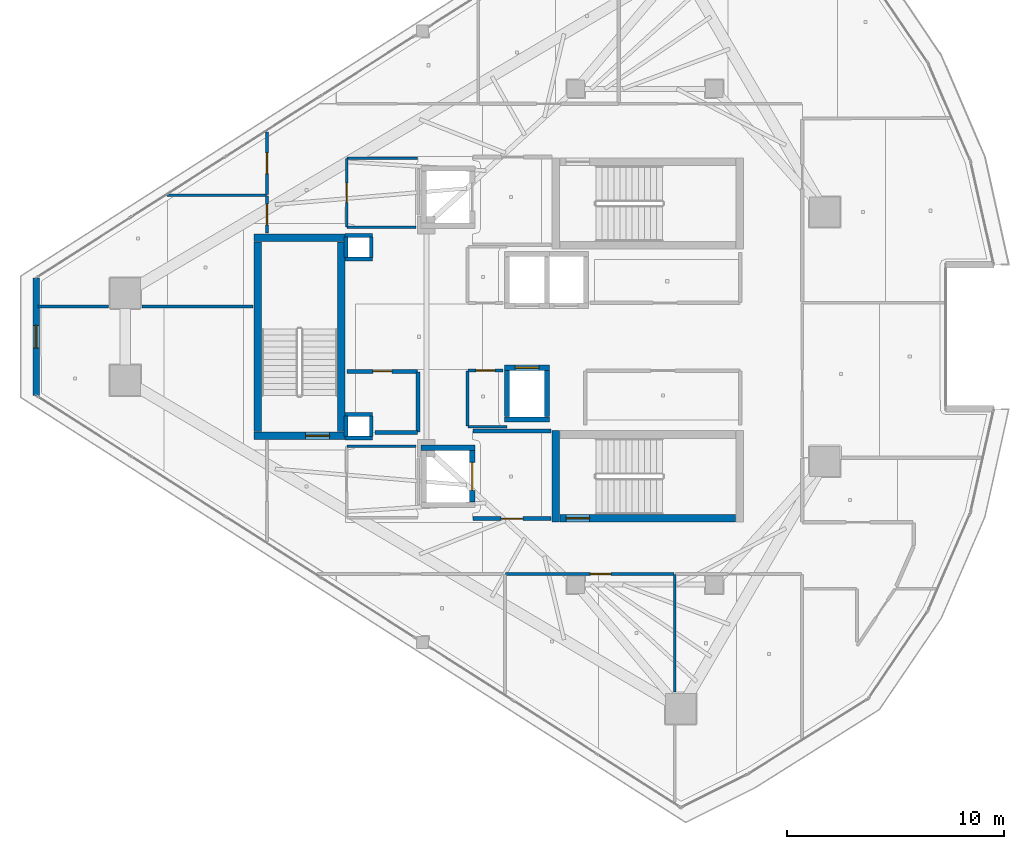
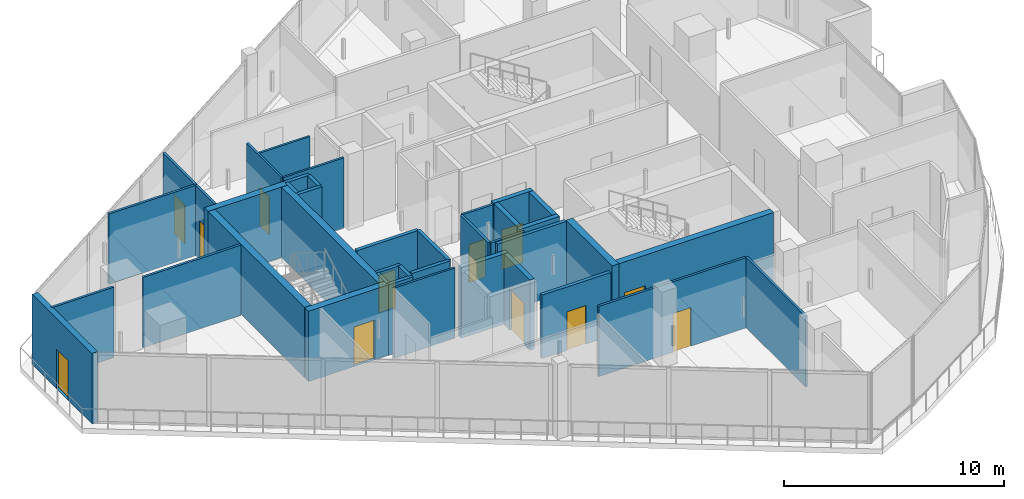
# One storey, part 15 of 23: 40 walls, 12 doors, 12 openings.
"""IFC4 building model written with IfcOpenShell, lengths in metres."""

import ifcopenshell
import ifcopenshell.guid

model = None  # the IFC model being written
_history = None  # IfcOwnerHistory: only IFC2X3 demands one
_inside = {}  # id of a spatial element -> (the spatial element, [elements in it])
_under = {}  # id of a project, library or spatial element -> (it, [spatial elements below it])
_declared = {}  # id of a project -> (the project, [libraries it declares])
_typed = {}  # id of a type object -> (the type object, [elements of that type])
_made_of = {}  # id of a material, layer set ... -> (it, [elements and type objects made of it])


def new_model(schema):
    """Start an empty IFC model of exactly this schema.

    Asked for "IFC4X3", IfcOpenShell would pick the latest addendum, in which some entities
    have other attributes; the version numbers below select the first issue.
    IFC2X3 requires an IfcOwnerHistory on every rooted entity: one is made here for all.
    """
    global model, _history
    if schema == "IFC4X3":
        model = ifcopenshell.file(schema_version=(4, 3, 0, 0))
    else:
        model = ifcopenshell.file(schema=schema)
    _inside.clear()
    _under.clear()
    _declared.clear()
    _typed.clear()
    _made_of.clear()
    _history = None
    if model.schema == "IFC2X3":
        org = make("IfcOrganization", Name="unknown")
        user = make(
            "IfcPersonAndOrganization",
            ThePerson=make("IfcPerson", FamilyName="unknown"),
            TheOrganization=org,
        )
        app = make(
            "IfcApplication",
            ApplicationDeveloper=org,
            Version="unknown",
            ApplicationFullName="unknown",
            ApplicationIdentifier="unknown",
        )
        _history = make(
            "IfcOwnerHistory",
            OwningUser=user,
            OwningApplication=app,
            ChangeAction="ADDED",
            CreationDate=0,
        )
    return model


def make(cls, **values):
    """One entity of the class cls with the attributes given. An attribute that is None is left unset."""
    return model.create_entity(
        cls, **{name: value for name, value in values.items() if value is not None}
    )


def rooted(cls, **values):
    """An entity with a GlobalId (a new one), such as an element, a storey or a relation."""
    return make(cls, GlobalId=ifcopenshell.guid.new(), OwnerHistory=_history, **values)


def si_unit(unit_type, name, prefix=None):
    """IfcSIUnit, for example si_unit("LENGTHUNIT", "METRE", prefix="MILLI")."""
    return make("IfcSIUnit", UnitType=unit_type, Prefix=prefix, Name=name)


def assignment(units):
    """IfcUnitAssignment: the units of a project."""
    return None if units is None else make("IfcUnitAssignment", Units=units)


def point(xyz):
    """IfcCartesianPoint."""
    return None if xyz is None else make("IfcCartesianPoint", Coordinates=xyz)


def direction(xyz):
    """IfcDirection."""
    return None if xyz is None else make("IfcDirection", DirectionRatios=xyz)


def frame(location, z_axis=None, x_axis=None):
    """IfcAxis2Placement3D, a coordinate frame: its origin and axes. An axis left out is left unset."""
    return make(
        "IfcAxis2Placement3D",
        Location=point(location),
        Axis=direction(z_axis),
        RefDirection=direction(x_axis),
    )


def frame_2d(location, x_axis=None):
    """IfcAxis2Placement2D, a coordinate frame in the plane: its origin and x axis."""
    return make(
        "IfcAxis2Placement2D", Location=point(location), RefDirection=direction(x_axis)
    )


def origin():
    """The frame at (0, 0, 0) with its axes left unset."""
    return frame((0.0, 0.0, 0.0))


def place(relative_to, where):
    """IfcLocalPlacement: puts the frame where relative to a parent placement (None: the world)."""
    return make(
        "IfcLocalPlacement", PlacementRelTo=relative_to, RelativePlacement=where
    )


def context(
    kind, dimensions, precision=None, world=None, true_north=None, identifier=None
):
    """IfcGeometricRepresentationContext, for example the 3D "Model" context."""
    return make(
        "IfcGeometricRepresentationContext",
        ContextIdentifier=identifier,
        ContextType=kind,
        CoordinateSpaceDimension=dimensions,
        Precision=precision,
        WorldCoordinateSystem=world,
        TrueNorth=true_north,
    )


def subcontext(parent, identifier, kind, view, scale=None):
    """IfcGeometricRepresentationSubContext, for example "Body" below "Model"."""
    return make(
        "IfcGeometricRepresentationSubContext",
        ContextIdentifier=identifier,
        ContextType=kind,
        ParentContext=parent,
        TargetScale=scale,
        TargetView=view,
    )


def project(units=None, contexts=None):
    """IfcProject with its units and contexts."""
    return rooted(
        "IfcProject",
        Name="project",
        RepresentationContexts=contexts,
        UnitsInContext=assignment(units),
    )


def spatial(cls, under=None, at=None, **own):
    """A site, building, storey or space (cls), placed at a placement, below another one or the project."""
    s = rooted(cls, ObjectPlacement=at, **own)
    if under is not None:
        _under.setdefault(under.id(), (under, []))[1].append(s)
    return s


def profile(cls, at=None, kind="AREA", **sizes):
    """A parametric profile (cls). Its sizes go by their IFC names, for example OverallWidth=200.0."""
    return make(cls, ProfileType=kind, Position=at, **sizes)


def rectangle(**sizes):
    """IfcRectangleProfileDef."""
    return profile("IfcRectangleProfileDef", **sizes)


def extrude(swept, where, along, depth):
    """IfcExtrudedAreaSolid: the profile swept, set in the frame where, extruded along a direction by depth."""
    return make(
        "IfcExtrudedAreaSolid",
        SweptArea=swept,
        Position=where,
        ExtrudedDirection=direction(along),
        Depth=depth,
    )


def shape(context_of_items, identifier, shape_type, items):
    """IfcShapeRepresentation: the items that make up one representation, for example the "Body"."""
    return make(
        "IfcShapeRepresentation",
        ContextOfItems=context_of_items,
        RepresentationIdentifier=identifier,
        RepresentationType=shape_type,
        Items=items,
    )


def material(Name=None, Category=None):
    """IfcMaterial."""
    return make("IfcMaterial", Name=Name, Category=Category)


def layer(
    of_material, thickness, ventilated=None, Name=None, Category=None, Priority=None
):
    """IfcMaterialLayer: one layer of a wall or slab, of a material (None: an air gap)."""
    return make(
        "IfcMaterialLayer",
        Material=of_material,
        LayerThickness=thickness,
        IsVentilated=ventilated,
        Name=Name,
        Category=Category,
        Priority=Priority,
    )


def layer_set(layers, Name=None):
    """IfcMaterialLayerSet."""
    return make("IfcMaterialLayerSet", MaterialLayers=layers, LayerSetName=Name)


def made_of(thing, what):
    """Note that an element or type object is made of a material, layer set ...; save() writes the relation."""
    if what is not None:
        _made_of.setdefault(what.id(), (what, []))[1].append(thing)
    return thing


def type_object(cls, material=None, **own):
    """A type object (cls), such as IfcWallType, which elements share."""
    return made_of(rooted(cls, **own), material)


def element(
    cls,
    number,
    at=None,
    inside=None,
    cuts=None,
    type_object=None,
    material=None,
    context=None,
    identifier="Body",
    shape_type=None,
    held_by="IfcProductDefinitionShape",
    body=None,
    shapes=None,
    **own,
):
    """One element of the class cls, such as IfcWall. Its Tag is "e" and its number.

    at: its placement. inside: the storey or other place that contains it. cuts: it is an
    opening in that element (IfcRelVoidsElement). A single representation is given by context,
    identifier, shape_type and body (its items); several are given by shapes. held_by: the class
    of the entity that holds the representations. save() writes the other relations.
    """
    e = rooted(cls, Tag="e%d" % number, ObjectPlacement=at, **own)
    if body is not None:
        shapes = [shape(context, identifier, shape_type, body)]
    if shapes is not None:
        e.Representation = make(held_by, Representations=shapes)
    if inside is not None:
        _inside.setdefault(inside.id(), (inside, []))[1].append(e)
    if cuts is not None:
        rooted(
            "IfcRelVoidsElement", RelatingBuildingElement=cuts, RelatedOpeningElement=e
        )
    if type_object is not None:
        _typed.setdefault(type_object.id(), (type_object, []))[1].append(e)
    return made_of(e, material)


def fill(opening, filler):
    """IfcRelFillsElement: the door or window that sits in an opening."""
    return rooted(
        "IfcRelFillsElement",
        RelatingOpeningElement=opening,
        RelatedBuildingElement=filler,
    )


def aggregate(whole, parts):
    """IfcRelAggregates: a whole, such as a stair, and the parts it consists of."""
    return rooted("IfcRelAggregates", RelatingObject=whole, RelatedObjects=parts)


def save(model, path):
    """Write the relations noted so far, then the file.

    IfcRelAggregates (storeys below a building ...), IfcRelContainedInSpatialStructure (elements
    in a storey), IfcRelDefinesByType, IfcRelAssociatesMaterial and IfcRelDeclares: one each for
    every whole, place, type object, material and project.
    """
    for whole, parts in _under.values():
        aggregate(whole, parts)
    for where, things in _inside.values():
        rooted(
            "IfcRelContainedInSpatialStructure",
            RelatedElements=things,
            RelatingStructure=where,
        )
    for kind, things in _typed.values():
        rooted("IfcRelDefinesByType", RelatedObjects=things, RelatingType=kind)
    for what, things in _made_of.values():
        rooted("IfcRelAssociatesMaterial", RelatedObjects=things, RelatingMaterial=what)
    for by, libraries in _declared.values():
        rooted("IfcRelDeclares", RelatingContext=by, RelatedDefinitions=libraries)
    model.write(path)


model = new_model("IFC4")

# Units and contexts
model_context = context("Model", 3, precision=1e-05, world=origin(), true_north=direction((0.0, 1.0)))
body_context = subcontext(model_context, "Body", "Model", "MODEL_VIEW")
ifc_project = project(units=[si_unit("LENGTHUNIT", "METRE"), si_unit("AREAUNIT", "SQUARE_METRE"), si_unit("VOLUMEUNIT", "CUBIC_METRE"), si_unit("PLANEANGLEUNIT", "RADIAN"), si_unit("MASSUNIT", "GRAM", prefix="KILO")], contexts=[model_context])

# Site, building, storey
site_placement = place(None, origin())
site = spatial("IfcSite", under=ifc_project, at=site_placement, CompositionType="ELEMENT")
building_placement = place(site_placement, origin())
building = spatial("IfcBuilding", under=site, at=building_placement, Name="Qorvath Tower", CompositionType="ELEMENT")
storey_placement = place(building_placement, frame((0.0, 0.0, 310.199951171875)))
storey = spatial("IfcBuildingStorey", under=building, at=storey_placement, Name="L72", CompositionType="ELEMENT", Elevation=310.199951171875)

# Walls
ifc_material_1 = material(Name="Gypsum shaftliner on steel studs", Category="steel")
ifc_layer_1 = layer(ifc_material_1, 0.179931640625)
ifc_layer_set_1 = layer_set([ifc_layer_1], Name="FW-LOBBY")
wall_type_1 = type_object("IfcWallType", Name="FW-LOBBY", PredefinedType="PARTITIONING", material=ifc_layer_set_1)
for number, where, z_axis, x_axis, name in (
    (1, (-32.989990234375, 3.594970703125, 0.0), (0.0, 0.0, 1.0), (-1.0, 0.0, 0.0), "MEP Riser Shaft Enclosure Wall N-L72-S"),
    (2, (-34.260009765625, 4.675048828125, 0.0), (0.0, 0.0, 1.0), (1.0, 0.0, 0.0), "MEP Riser Shaft Enclosure Wall N-L72-N"),
):
    element("IfcWall", number, at=place(storey_placement, frame(where, z_axis=z_axis, x_axis=x_axis)), inside=storey, type_object=wall_type_1, Name=name, PredefinedType="PARTITIONING", context=body_context, shape_type="SweptSolid", body=[
        extrude(rectangle(XDim=1.27001953125, YDim=0.179931640625, at=frame_2d((0.635009765625, 0.0))), origin(), (0.0, 0.0, 1.0), 3.91015625),
    ])
for number, where, z_axis, x_axis, name in (
    (3, (-34.205078125, 3.659912109375, 0.0), (0.0, 0.0, 1.0), (0.0, 1.0, 0.0), "MEP Riser Shaft Enclosure Wall N-L72-W"),
    (4, (-33.044921875, 4.610107421875, 0.0), (0.0, 0.0, 1.0), (0.0, -1.0, 0.0), "MEP Riser Shaft Enclosure Wall N-L72-E"),
):
    element("IfcWall", number, at=place(storey_placement, frame(where, z_axis=z_axis, x_axis=x_axis)), inside=storey, type_object=wall_type_1, Name=name, PredefinedType="PARTITIONING", context=body_context, shape_type="SweptSolid", body=[
        extrude(rectangle(XDim=0.9501953125, YDim=0.179931640625, at=frame_2d((0.47509765625, 0.0))), origin(), (0.0, 0.0, 1.0), 3.91015625),
    ])
for number, where, z_axis, x_axis, name in (
    (5, (-32.989990234375, -4.675048828125, 0.0), (0.0, 0.0, 1.0), (-1.0, 0.0, 0.0), "MEP Riser Shaft Enclosure Wall S-L72-S"),
    (6, (-34.260009765625, -3.594970703125, 0.0), (0.0, 0.0, 1.0), (1.0, 0.0, 0.0), "MEP Riser Shaft Enclosure Wall S-L72-N"),
):
    element("IfcWall", number, at=place(storey_placement, frame(where, z_axis=z_axis, x_axis=x_axis)), inside=storey, type_object=wall_type_1, Name=name, PredefinedType="PARTITIONING", context=body_context, shape_type="SweptSolid", body=[
        extrude(rectangle(XDim=1.27001953125, YDim=0.179931640625, at=frame_2d((0.635009765625, 0.0))), origin(), (0.0, 0.0, 1.0), 3.91015625),
    ])
for number, where, z_axis, x_axis, name in (
    (7, (-34.205078125, -4.610107421875, 0.0), (0.0, 0.0, 1.0), (0.0, 1.0, 0.0), "MEP Riser Shaft Enclosure Wall S-L72-W"),
    (8, (-33.044921875, -3.659912109375, 0.0), (0.0, 0.0, 1.0), (0.0, -1.0, 0.0), "MEP Riser Shaft Enclosure Wall S-L72-E"),
):
    element("IfcWall", number, at=place(storey_placement, frame(where, z_axis=z_axis, x_axis=x_axis)), inside=storey, type_object=wall_type_1, Name=name, PredefinedType="PARTITIONING", context=body_context, shape_type="SweptSolid", body=[
        extrude(rectangle(XDim=0.9501953125, YDim=0.179931640625, at=frame_2d((0.47509765625, 0.0))), origin(), (0.0, 0.0, 1.0), 3.91015625),
    ])

# Wall, opening, door
wall_1_placement = place(storey_placement, frame((-28.35498046875, -8.39990234375, 0.0), z_axis=(0.0, 0.0, 1.0), x_axis=(1.0, 0.0, 0.0)))
wall_1 = element("IfcWall", 9, at=wall_1_placement, inside=storey, type_object=wall_type_1, Name="Interior Partition IW-T1-L72-003", PredefinedType="PARTITIONING", context=body_context, shape_type="SweptSolid", body=[
    extrude(rectangle(XDim=3.6220703125, YDim=0.179931640625, at=frame_2d((1.81103515625, 0.0))), origin(), (0.0, 0.0, 1.0), 3.529052734375),
])
opening_1_placement = place(wall_1_placement, frame((1.31103515625, 0.0, 0.0)))
opening_1 = element("IfcOpeningElement", 10, at=opening_1_placement, cuts=wall_1, Name="Opening D-T1-L72-20", PredefinedType="OPENING", context=body_context, shape_type="SweptSolid", body=[
    extrude(rectangle(XDim=1.0, YDim=2.14990234375, at=frame_2d((0.5, 1.074951171875))), frame((0.0, 0.10009765625, 0.0), z_axis=(0.0, -1.0, 0.0), x_axis=(1.0, 0.0, 0.0)), (0.0, 0.0, 1.0), 0.199951171875),
])
ifc_material_2 = material(Name="Painted galvanised hollow metal", Category="steel")
door_type_1 = type_object("IfcDoorType", Name="FD-60", OperationType="NOTDEFINED", PredefinedType="DOOR", material=ifc_material_2)
door_1_placement = place(opening_1_placement, origin())
door_1 = element("IfcDoor", 11, at=door_1_placement, inside=storey, type_object=door_type_1, Name="Lobby Fire Service Elevator South Door D-T1-L72-20", OperationType="SINGLE_SWING_LEFT", OverallHeight=2.14990234375, OverallWidth=1.0, PredefinedType="DOOR", context=body_context, shape_type="SweptSolid", body=[
    extrude(rectangle(XDim=1.0, YDim=2.14990234375, at=frame_2d((0.5, 1.074951171875))), frame((0.0, 0.02490234375, 0.0), z_axis=(0.0, -1.0, 0.0), x_axis=(1.0, 0.0, 0.0)), (0.0, 0.0, 1.0), 0.050048828125),
])
fill(opening_1, door_1)

# Walls
wall_2_placement = place(storey_placement, frame((-24.73291015625, -4.35009765625, 0.0), z_axis=(0.0, 0.0, 1.0), x_axis=(-1.0, 0.0, 0.0)))
element("IfcWall", 12, at=wall_2_placement, inside=storey, type_object=wall_type_1, Name="Interior Partition IW-T1-L72-004", PredefinedType="PARTITIONING", context=body_context, shape_type="SweptSolid", body=[
    extrude(rectangle(XDim=3.6220703125, YDim=0.179931640625, at=frame_2d((1.81103515625, 0.0))), origin(), (0.0, 0.0, 1.0), 3.91015625),
])
wall_3_placement = place(storey_placement, frame((-32.8798828125, -4.419921875, 0.0), z_axis=(0.0, 0.0, 1.0), x_axis=(1.0, 0.0, 0.0)))
element("IfcWall", 13, at=wall_3_placement, inside=storey, type_object=wall_type_1, Name="Interior Partition IW-T1-L72-024", PredefinedType="PARTITIONING", context=body_context, shape_type="SweptSolid", body=[
    extrude(rectangle(XDim=1.97509765625, YDim=0.179931640625, at=frame_2d((0.987548828125, 0.0))), origin(), (0.0, 0.0, 1.0), 3.91015625),
])
wall_4_placement = place(storey_placement, frame((-30.8798828125, -4.39501953125, 0.0), z_axis=(0.0, 0.0, 1.0), x_axis=(0.0, 1.0, 0.0)))
element("IfcWall", 14, at=wall_4_placement, inside=storey, type_object=wall_type_1, Name="Interior Partition IW-T1-L72-025", PredefinedType="PARTITIONING", context=body_context, shape_type="SweptSolid", body=[
    extrude(rectangle(XDim=2.77001953125, YDim=0.179931640625, at=frame_2d((1.385009765625, 0.0))), origin(), (0.0, 0.0, 1.0), 3.91015625),
])

# Wall, opening, door
wall_5_placement = place(storey_placement, frame((-30.90478515625, -1.60009765625, 0.0), z_axis=(0.0, 0.0, 1.0), x_axis=(-1.0, 0.0, 0.0)))
wall_5 = element("IfcWall", 15, at=wall_5_placement, inside=storey, type_object=wall_type_1, Name="Interior Partition IW-T1-L72-026", PredefinedType="PARTITIONING", context=body_context, shape_type="SweptSolid", body=[
    extrude(rectangle(XDim=3.25, YDim=0.179931640625, at=frame_2d((1.625, 0.0))), origin(), (0.0, 0.0, 1.0), 3.91015625),
])
opening_2_placement = place(wall_5_placement, frame((1.18505859375, 0.0, 0.0)))
opening_2 = element("IfcOpeningElement", 16, at=opening_2_placement, cuts=wall_5, Name="Opening D-T1-L72-07", PredefinedType="OPENING", context=body_context, shape_type="SweptSolid", body=[
    extrude(rectangle(XDim=0.8798828125, YDim=2.10009765625, at=frame_2d((0.43994140625, 1.050048828125))), frame((0.0, 0.10009765625, 0.0), z_axis=(0.0, -1.0, 0.0), x_axis=(1.0, 0.0, 0.0)), (0.0, 0.0, 1.0), 0.199951171875),
])
ifc_material_3 = material(Name="Painted galvanised hollow metal", Category="steel")
door_type_2 = type_object("IfcDoorType", Name="FD-60N", OperationType="NOTDEFINED", PredefinedType="DOOR", material=ifc_material_3)
door_2_placement = place(opening_2_placement, origin())
door_2 = element("IfcDoor", 17, at=door_2_placement, inside=storey, type_object=door_type_2, Name="Core cleaner and electrical room L72 Door D-T1-L72-07", OperationType="SINGLE_SWING_RIGHT", OverallHeight=2.10009765625, OverallWidth=0.8798828125, PredefinedType="DOOR", context=body_context, shape_type="SweptSolid", body=[
    extrude(rectangle(XDim=0.8798828125, YDim=2.10009765625, at=frame_2d((0.43994140625, 1.050048828125))), frame((0.0, 0.02490234375, 0.0), z_axis=(0.0, -1.0, 0.0), x_axis=(1.0, 0.0, 0.0)), (0.0, 0.0, 1.0), 0.050048828125),
])
fill(opening_2, door_2)

# Walls
ifc_material_4 = material(Name="Gypsum board on metal studs with mineral wool", Category="gypsum")
ifc_layer_2 = layer(ifc_material_4, 0.125)
ifc_layer_set_2 = layer_set([ifc_layer_2], Name="IW-PART-125")
wall_type_2 = type_object("IfcWallType", Name="IW-PART-125", PredefinedType="PARTITIONING", material=ifc_layer_set_2)
wall_6_placement = place(storey_placement, frame((-28.60009765625, -1.585205078125, 0.0), z_axis=(0.0, 0.0, 1.0), x_axis=(0.0, -1.0, 0.0)))
element("IfcWall", 18, at=wall_6_placement, inside=storey, type_object=wall_type_2, Name="Interior Partition IW-T1-L72-021", PredefinedType="PARTITIONING", context=body_context, shape_type="SweptSolid", body=[
    extrude(rectangle(XDim=2.539794921875, YDim=0.125, at=frame_2d((1.27001953125, 0.0))), origin(), (0.0, 0.0, 1.0), 3.91015625),
])
wall_7_placement = place(storey_placement, frame((-28.5751953125, -4.14990234375, 0.0), z_axis=(0.0, 0.0, 1.0), x_axis=(1.0, 0.0, 0.0)))
element("IfcWall", 19, at=wall_7_placement, inside=storey, type_object=wall_type_2, Name="Interior Partition IW-T1-L72-022", PredefinedType="PARTITIONING", context=body_context, shape_type="SweptSolid", body=[
    extrude(rectangle(XDim=1.80029296875, YDim=0.125, at=frame_2d((0.900146484375, 0.0))), origin(), (0.0, 0.0, 1.0), 3.91015625),
])

# Wall, opening, door
wall_8_placement = place(storey_placement, frame((-26.966064453125, -1.56005859375, 0.0), z_axis=(0.0, 0.0, 1.0), x_axis=(-1.0, 0.0, 0.0)))
wall_8 = element("IfcWall", 20, at=wall_8_placement, inside=storey, type_object=wall_type_2, Name="Interior Partition IW-T1-L72-023", PredefinedType="PARTITIONING", context=body_context, shape_type="SweptSolid", body=[
    extrude(rectangle(XDim=1.609130859375, YDim=0.125, at=frame_2d((0.8046875, 0.0))), origin(), (0.0, 0.0, 1.0), 3.91015625),
])
opening_3_placement = place(wall_8_placement, frame((0.364501953125, 0.0, 0.0)))
opening_3 = element("IfcOpeningElement", 21, at=opening_3_placement, cuts=wall_8, Name="Opening D-T1-L72-06", PredefinedType="OPENING", context=body_context, shape_type="SweptSolid", body=[
    extrude(rectangle(XDim=0.8798828125, YDim=2.10009765625, at=frame_2d((0.43994140625, 1.050048828125))), frame((0.0, 0.072509765625, 0.0), z_axis=(0.0, -1.0, 0.0), x_axis=(1.0, 0.0, 0.0)), (0.0, 0.0, 1.0), 0.14501953125),
])
ifc_material_5 = material(Name="Solid-core oak with acoustic drop seal", Category="wood")
door_type_3 = type_object("IfcDoorType", Name="D-02", OperationType="NOTDEFINED", PredefinedType="DOOR", material=ifc_material_5)
door_3_placement = place(opening_3_placement, origin())
door_3 = element("IfcDoor", 22, at=door_3_placement, inside=storey, type_object=door_type_3, Name="L72-RCWS Executive Archive Suite Door D-T1-L72-06", OperationType="SINGLE_SWING_LEFT", OverallHeight=2.10009765625, OverallWidth=0.8798828125, PredefinedType="DOOR", context=body_context, shape_type="SweptSolid", body=[
    extrude(rectangle(XDim=0.8798828125, YDim=2.10009765625, at=frame_2d((0.43994140625, 1.050048828125))), frame((0.0, 0.02490234375, 0.0), z_axis=(0.0, -1.0, 0.0), x_axis=(1.0, 0.0, 0.0)), (0.0, 0.0, 1.0), 0.050048828125),
])
fill(opening_3, door_3)

wall_9_placement = place(storey_placement, frame((-19.052001953125, -10.9580078125, 0.0), z_axis=(0.0, 0.0, 1.0), x_axis=(-1.0, 0.0, 0.0)))
wall_9 = element("IfcWall", 23, at=wall_9_placement, inside=storey, type_object=wall_type_2, Name="Interior Partition IW-T1-L72-035", PredefinedType="PARTITIONING", context=body_context, shape_type="SweptSolid", body=[
    extrude(rectangle(XDim=7.77978515625, YDim=0.125, at=frame_2d((3.889892578125, 0.0))), origin(), (0.0, 0.0, 1.0), 3.91015625),
])
opening_4_placement = place(wall_9_placement, frame((2.927001953125, 0.0, 0.0)))
opening_4 = element("IfcOpeningElement", 24, at=opening_4_placement, cuts=wall_9, Name="Opening D-T1-L72-10", PredefinedType="OPENING", context=body_context, shape_type="SweptSolid", body=[
    extrude(rectangle(XDim=0.949951171875, YDim=2.14990234375, at=frame_2d((0.47509765625, 1.074951171875))), frame((0.0, 0.072509765625, 0.0), z_axis=(0.0, -1.0, 0.0), x_axis=(1.0, 0.0, 0.0)), (0.0, 0.0, 1.0), 0.14501953125),
])
ifc_material_6 = material(Name="Solid-core American white oak veneer", Category="wood")
door_type_4 = type_object("IfcDoorType", Name="D-01", OperationType="NOTDEFINED", PredefinedType="DOOR", material=ifc_material_6)
door_4_placement = place(opening_4_placement, origin())
door_4 = element("IfcDoor", 25, at=door_4_placement, inside=storey, type_object=door_type_4, Name="L72-05 Design Pin-Up Atelier Door D-T1-L72-10", OperationType="SINGLE_SWING_LEFT", OverallHeight=2.14990234375, OverallWidth=0.949951171875, PredefinedType="DOOR", context=body_context, shape_type="SweptSolid", body=[
    extrude(rectangle(XDim=0.949951171875, YDim=2.14990234375, at=frame_2d((0.47509765625, 1.074951171875))), frame((0.0, 0.02490234375, 0.0), z_axis=(0.0, -1.0, 0.0), x_axis=(1.0, 0.0, 0.0)), (0.0, 0.0, 1.0), 0.050048828125),
])
fill(opening_4, door_4)

# Walls
wall_10_placement = place(storey_placement, frame((-19.027099609375, -16.41064453125, 0.0), z_axis=(0.0, 0.0, 1.0), x_axis=(0.0, 1.0, 0.0)))
element("IfcWall", 26, at=wall_10_placement, inside=storey, type_object=wall_type_2, Name="Interior Partition IW-T1-L72-037", PredefinedType="PARTITIONING", context=body_context, shape_type="SweptSolid", body=[
    extrude(rectangle(XDim=5.427734375, YDim=0.125, at=frame_2d((2.7138671875, 0.0))), origin(), (0.0, 0.0, 1.0), 3.91015625),
])
wall_11_placement = place(storey_placement, frame((-38.492919921875, 1.398681640625, 0.0), z_axis=(0.0, 0.0, 1.0), x_axis=(-1.0, 0.0, 0.0)))
element("IfcWall", 27, at=wall_11_placement, inside=storey, type_object=wall_type_2, Name="Interior Partition IW-T1-L72-053", PredefinedType="PARTITIONING", context=body_context, shape_type="SweptSolid", body=[
    extrude(rectangle(XDim=5.14453125, YDim=0.125, at=frame_2d((2.572265625, 0.0))), origin(), (0.0, 0.0, 1.0), 3.91015625),
])
wall_12_placement = place(storey_placement, frame((-45.16748046875, 1.398681640625, 0.0), z_axis=(0.0, 0.0, 1.0), x_axis=(-0.999998122673, -0.001937691995, 0.0)))
element("IfcWall", 28, at=wall_12_placement, inside=storey, type_object=wall_type_2, Name="Interior Partition IW-T1-L72-054", PredefinedType="PARTITIONING", context=body_context, shape_type="SweptSolid", body=[
    extrude(rectangle(XDim=3.27587890625, YDim=0.125, at=frame_2d((1.637939453125, 0.0))), origin(), (0.0, 0.0, 1.0), 3.91015625),
])

# Wall, opening, door
wall_13_placement = place(storey_placement, frame((-37.85791015625, 4.783203125, 0.0), z_axis=(0.0, 0.0, 1.0), x_axis=(0.0, 1.0, 0.0)))
wall_13 = element("IfcWall", 29, at=wall_13_placement, inside=storey, type_object=wall_type_2, Name="Interior Partition IW-T1-L72-055", PredefinedType="PARTITIONING", context=body_context, shape_type="SweptSolid", body=[
    extrude(rectangle(XDim=1.727783203125, YDim=0.125, at=frame_2d((0.86376953125, 0.0))), origin(), (0.0, 0.0, 1.0), 3.91015625),
])
opening_5_placement = place(wall_13_placement, frame((0.388916015625, 0.0, 0.0)))
opening_5 = element("IfcOpeningElement", 30, at=opening_5_placement, cuts=wall_13, Name="Opening D-T1-L72-17", PredefinedType="OPENING", context=body_context, shape_type="SweptSolid", body=[
    extrude(rectangle(XDim=0.949951171875, YDim=2.14990234375, at=frame_2d((0.47509765625, 1.074951171875))), frame((0.0, 0.072509765625, 0.0), z_axis=(0.0, -1.0, 0.0), x_axis=(1.0, 0.0, 0.0)), (0.0, 0.0, 1.0), 0.14501953125),
])
door_5_placement = place(opening_5_placement, origin())
door_5 = element("IfcDoor", 31, at=door_5_placement, inside=storey, type_object=door_type_4, Name="L72-12 Focus Collaboration Pod Door D-T1-L72-17", OperationType="SINGLE_SWING_RIGHT", OverallHeight=2.14990234375, OverallWidth=0.949951171875, PredefinedType="DOOR", context=body_context, shape_type="SweptSolid", body=[
    extrude(rectangle(XDim=0.949951171875, YDim=2.14990234375, at=frame_2d((0.47509765625, 1.074951171875))), frame((0.0, 0.02490234375, 0.0), z_axis=(0.0, -1.0, 0.0), x_axis=(1.0, 0.0, 0.0)), (0.0, 0.0, 1.0), 0.050048828125),
])
fill(opening_5, door_5)

# Wall
wall_14_placement = place(storey_placement, frame((-37.8828125, 6.535888671875, 0.0), z_axis=(0.0, 0.0, 1.0), x_axis=(-1.0, 0.0, 0.0)))
element("IfcWall", 32, at=wall_14_placement, inside=storey, type_object=wall_type_2, Name="Interior Partition IW-T1-L72-056", PredefinedType="PARTITIONING", context=body_context, shape_type="SweptSolid", body=[
    extrude(rectangle(XDim=4.58740234375, YDim=0.125, at=frame_2d((2.293701171875, 0.0))), origin(), (0.0, 0.0, 1.0), 3.91015625),
])

# Wall, opening, door
wall_15_placement = place(storey_placement, frame((-37.85791015625, 6.56884765625, 0.0), z_axis=(0.0, 0.0, 1.0), x_axis=(0.0, 1.0, 0.0)))
wall_15 = element("IfcWall", 33, at=wall_15_placement, inside=storey, type_object=wall_type_2, Name="Interior Partition IW-T1-L72-057", PredefinedType="PARTITIONING", context=body_context, shape_type="SweptSolid", body=[
    extrude(rectangle(XDim=2.885986328125, YDim=0.125, at=frame_2d((1.44287109375, 0.0))), origin(), (0.0, 0.0, 1.0), 3.91015625),
])
opening_6_placement = place(wall_15_placement, frame((0.968017578125, 0.0, 0.0)))
opening_6 = element("IfcOpeningElement", 34, at=opening_6_placement, cuts=wall_15, Name="Opening D-T1-L72-18", PredefinedType="OPENING", context=body_context, shape_type="SweptSolid", body=[
    extrude(rectangle(XDim=0.949951171875, YDim=2.14990234375, at=frame_2d((0.47509765625, 1.074951171875))), frame((0.0, 0.072509765625, 0.0), z_axis=(0.0, -1.0, 0.0), x_axis=(1.0, 0.0, 0.0)), (0.0, 0.0, 1.0), 0.14501953125),
])
door_6_placement = place(opening_6_placement, origin())
door_6 = element("IfcDoor", 35, at=door_6_placement, inside=storey, type_object=door_type_4, Name="L72-13 Staff Refreshment Pantry and Coffee Bar Door D-T1-L72-18", OperationType="SINGLE_SWING_LEFT", OverallHeight=2.14990234375, OverallWidth=0.949951171875, PredefinedType="DOOR", context=body_context, shape_type="SweptSolid", body=[
    extrude(rectangle(XDim=0.949951171875, YDim=2.14990234375, at=frame_2d((0.47509765625, 1.074951171875))), frame((0.0, 0.02490234375, 0.0), z_axis=(0.0, -1.0, 0.0), x_axis=(1.0, 0.0, 0.0)), (0.0, 0.0, 1.0), 0.050048828125),
])
fill(opening_6, door_6)

ifc_material_7 = material(Name="Moisture-resistant cement board on metal studs", Category="gypsum")
ifc_layer_3 = layer(ifc_material_7, 0.110107421875)
ifc_layer_set_3 = layer_set([ifc_layer_3], Name="IW-WC-110")
wall_type_3 = type_object("IfcWallType", Name="IW-WC-110", PredefinedType="PARTITIONING", material=ifc_layer_set_3)
wall_16_placement = place(storey_placement, frame((-34.179931640625, 8.22509765625, 0.0), z_axis=(0.0, 0.0, 1.0), x_axis=(0.0, -1.0, 0.0)))
wall_16 = element("IfcWall", 36, at=wall_16_placement, inside=storey, type_object=wall_type_3, Name="Interior Partition IW-T1-L72-005", PredefinedType="PARTITIONING", context=body_context, shape_type="SweptSolid", body=[
    extrude(rectangle(XDim=3.150146484375, YDim=0.110107421875, at=frame_2d((1.5751953125, 0.0))), origin(), (0.0, 0.0, 1.0), 3.91015625),
])
opening_7_placement = place(wall_16_placement, frame((1.135009765625, 0.0, 0.0)))
opening_7 = element("IfcOpeningElement", 37, at=opening_7_placement, cuts=wall_16, Name="Opening D-T1-L72-01", PredefinedType="OPENING", context=body_context, shape_type="SweptSolid", body=[
    extrude(rectangle(XDim=0.8798828125, YDim=2.10009765625, at=frame_2d((0.43994140625, 1.050048828125))), frame((0.0, 0.06494140625, 0.0), z_axis=(0.0, -1.0, 0.0), x_axis=(1.0, 0.0, 0.0)), (0.0, 0.0, 1.0), 0.130126953125),
])
door_7_placement = place(opening_7_placement, origin())
door_7 = element("IfcDoor", 38, at=door_7_placement, inside=storey, type_object=door_type_3, Name="Accessible WC North L72 Door D-T1-L72-01", OperationType="SINGLE_SWING_RIGHT", OverallHeight=2.10009765625, OverallWidth=0.8798828125, PredefinedType="DOOR", context=body_context, shape_type="SweptSolid", body=[
    extrude(rectangle(XDim=0.8798828125, YDim=2.10009765625, at=frame_2d((0.43994140625, 1.050048828125))), frame((0.0, 0.02490234375, 0.0), z_axis=(0.0, -1.0, 0.0), x_axis=(1.0, 0.0, 0.0)), (0.0, 0.0, 1.0), 0.050048828125),
])
fill(opening_7, door_7)

# Walls
wall_17_placement = place(storey_placement, frame((-34.15478515625, 5.050048828125, 0.0), z_axis=(0.0, 0.0, 1.0), x_axis=(1.0, 0.0, 0.0)))
element("IfcWall", 39, at=wall_17_placement, inside=storey, type_object=wall_type_3, Name="Interior Partition IW-T1-L72-006", PredefinedType="PARTITIONING", context=body_context, shape_type="SweptSolid", body=[
    extrude(rectangle(XDim=3.189697265625, YDim=0.110107421875, at=frame_2d((1.5947265625, 0.0))), origin(), (0.0, 0.0, 1.0), 3.91015625),
])
wall_18_placement = place(storey_placement, frame((-30.90478515625, 8.25, 0.0), z_axis=(0.0, 0.0, 1.0), x_axis=(-1.0, 0.0, 0.0)))
element("IfcWall", 40, at=wall_18_placement, inside=storey, type_object=wall_type_3, Name="Interior Partition IW-T1-L72-008", PredefinedType="PARTITIONING", context=body_context, shape_type="SweptSolid", body=[
    extrude(rectangle(XDim=3.25, YDim=0.110107421875, at=frame_2d((1.625, 0.0))), origin(), (0.0, 0.0, 1.0), 3.130126953125),
])
wall_19_placement = place(storey_placement, frame((-30.965087890625, -5.050048828125, 0.0), z_axis=(0.0, 0.0, 1.0), x_axis=(-1.0, 0.0, 0.0)))
element("IfcWall", 41, at=wall_19_placement, inside=storey, type_object=wall_type_3, Name="Interior Partition IW-T1-L72-011", PredefinedType="PARTITIONING", context=body_context, shape_type="SweptSolid", body=[
    extrude(rectangle(XDim=3.189697265625, YDim=0.110107421875, at=frame_2d((1.5947265625, 0.0))), origin(), (0.0, 0.0, 1.0), 3.91015625),
])
ifc_material_8 = material(Name="Concrete C60/75", Category="concrete")
ifc_layer_4 = layer(ifc_material_8, 0.260009765625)
ifc_layer_set_4 = layer_set([ifc_layer_4], Name="SW-SHAFT")
wall_type_4 = type_object("IfcWallType", Name="SW-SHAFT", PredefinedType="SHEAR", material=ifc_layer_set_4)
wall_20_placement = place(storey_placement, frame((-30.739990234375, -5.1298828125, 0.0), z_axis=(0.0, 0.0, 1.0), x_axis=(1.0, 0.0, 0.0)))
element("IfcWall", 42, at=wall_20_placement, inside=storey, type_object=wall_type_4, Name="Hoistway Wall FSAE-2 L72 N", PredefinedType="SHEAR", context=body_context, shape_type="SweptSolid", body=[
    extrude(rectangle(XDim=2.47998046875, YDim=0.239990234375, at=frame_2d((1.239990234375, 0.0))), origin(), (0.0, 0.0, 1.0), 3.91015625),
])

# Wall, opening, door
wall_21_placement = place(storey_placement, frame((-28.3798828125, -5.261962890625, 0.0), z_axis=(0.0, 0.0, 1.0), x_axis=(0.0, -1.0, 0.0)))
wall_21 = element("IfcWall", 43, at=wall_21_placement, inside=storey, type_object=wall_type_4, Name="Hoistway Wall FSAE-2 L72 E", PredefinedType="SHEAR", context=body_context, shape_type="SweptSolid", body=[
    extrude(rectangle(XDim=2.3759765625, YDim=0.239990234375, at=frame_2d((1.18798828125, 0.0))), origin(), (0.0, 0.0, 1.0), 3.91015625),
])
opening_8_placement = place(wall_21_placement, frame((0.5380859375, 0.0, 0.0)))
opening_8 = element("IfcOpeningElement", 44, at=opening_8_placement, cuts=wall_21, Name="Opening LD-FSAE-2-L72", PredefinedType="OPENING", context=body_context, shape_type="SweptSolid", body=[
    extrude(rectangle(XDim=1.300048828125, YDim=2.300048828125, at=frame_2d((0.64990234375, 1.14990234375))), frame((0.0, 0.1298828125, 0.0), z_axis=(0.0, -1.0, 0.0), x_axis=(1.0, 0.0, 0.0)), (0.0, 0.0, 1.0), 0.260009765625),
])
ifc_material_9 = material(Name="Brushed stainless steel AISI 316", Category="steel")
door_type_5 = type_object("IfcDoorType", Name="LD-02", OperationType="NOTDEFINED", PredefinedType="DOOR", material=ifc_material_9)
door_8_placement = place(opening_8_placement, origin())
door_8 = element("IfcDoor", 45, at=door_8_placement, inside=storey, type_object=door_type_5, Name="Elevator Landing Sliding Door LD-FSAE-2-L72", OperationType="DOUBLE_DOOR_SLIDING", OverallHeight=2.300048828125, OverallWidth=1.300048828125, PredefinedType="DOOR", context=body_context, shape_type="SweptSolid", body=[
    extrude(rectangle(XDim=1.300048828125, YDim=2.300048828125, at=frame_2d((0.64990234375, 1.14990234375))), frame((0.0, 0.02490234375, 0.0), z_axis=(0.0, -1.0, 0.0), x_axis=(1.0, 0.0, 0.0)), (0.0, 0.0, 1.0), 0.050048828125),
])
fill(opening_8, door_8)

# Wall
wall_22_placement = place(storey_placement, frame((-24.81005859375, -3.820068359375, 0.0), z_axis=(0.0, 0.0, 1.0), x_axis=(-1.0, 0.0, 0.0)))
element("IfcWall", 46, at=wall_22_placement, inside=storey, type_object=wall_type_4, Name="Hoistway Wall PH-3 L72 S", PredefinedType="SHEAR", context=body_context, shape_type="SweptSolid", body=[
    extrude(rectangle(XDim=2.079833984375, YDim=0.239990234375, at=frame_2d((1.0400390625, 0.0))), origin(), (0.0, 0.0, 1.0), 3.91015625),
])

# Wall, opening, door
wall_23_placement = place(storey_placement, frame((-26.889892578125, -1.429931640625, 0.0), z_axis=(0.0, 0.0, 1.0), x_axis=(1.0, 0.0, 0.0)))
wall_23 = element("IfcWall", 47, at=wall_23_placement, inside=storey, type_object=wall_type_4, Name="Hoistway Wall PH-3 L72 N", PredefinedType="SHEAR", context=body_context, shape_type="SweptSolid", body=[
    extrude(rectangle(XDim=2.079833984375, YDim=0.239990234375, at=frame_2d((1.0400390625, 0.0))), origin(), (0.0, 0.0, 1.0), 3.91015625),
])
opening_9_placement = place(wall_23_placement, frame((0.48974609375, 0.0, 0.0)))
opening_9 = element("IfcOpeningElement", 48, at=opening_9_placement, cuts=wall_23, Name="Opening LD-PH-3-L72", PredefinedType="OPENING", context=body_context, shape_type="SweptSolid", body=[
    extrude(rectangle(XDim=1.10009765625, YDim=2.199951171875, at=frame_2d((0.550048828125, 1.10009765625))), frame((0.0, 0.1298828125, 0.0), z_axis=(0.0, -1.0, 0.0), x_axis=(1.0, 0.0, 0.0)), (0.0, 0.0, 1.0), 0.260009765625),
])
ifc_material_10 = material(Name="Brushed stainless steel AISI 316", Category="steel")
door_type_6 = type_object("IfcDoorType", Name="LD-01", OperationType="NOTDEFINED", PredefinedType="DOOR", material=ifc_material_10)
door_9_placement = place(opening_9_placement, origin())
door_9 = element("IfcDoor", 49, at=door_9_placement, inside=storey, type_object=door_type_6, Name="Elevator Landing Sliding Door LD-PH-3-L72", OperationType="DOUBLE_DOOR_SLIDING", OverallHeight=2.199951171875, OverallWidth=1.10009765625, PredefinedType="DOOR", context=body_context, shape_type="SweptSolid", body=[
    extrude(rectangle(XDim=1.10009765625, YDim=2.199951171875, at=frame_2d((0.550048828125, 1.10009765625))), frame((0.0, 0.02490234375, 0.0), z_axis=(0.0, -1.0, 0.0), x_axis=(1.0, 0.0, 0.0)), (0.0, 0.0, 1.0), 0.050048828125),
])
fill(opening_9, door_9)

# Walls
for number, where, z_axis, x_axis, name in (
    (50, (-26.77001953125, -3.68798828125, 0.0), (0.0, 0.0, 1.0), (0.0, 1.0, 0.0), "Hoistway Wall PH-3 L72 W"),
    (51, (-24.929931640625, -1.56201171875, 0.0), (0.0, 0.0, 1.0), (0.0, -1.0, 0.0), "Hoistway Wall PH-3 L72 E"),
):
    element("IfcWall", number, at=place(storey_placement, frame(where, z_axis=z_axis, x_axis=x_axis)), inside=storey, type_object=wall_type_4, Name=name, PredefinedType="SHEAR", context=body_context, shape_type="SweptSolid", body=[
        extrude(rectangle(XDim=2.1259765625, YDim=0.239990234375, at=frame_2d((1.06298828125, 0.0))), origin(), (0.0, 0.0, 1.0), 3.91015625),
    ])
ifc_material_11 = material(Name="Concrete C60/75", Category="concrete")
ifc_layer_5 = layer(ifc_material_11, 0.35009765625)
ifc_layer_set_5 = layer_set([ifc_layer_5], Name="SW-STAIR")
wall_type_5 = type_object("IfcWallType", Name="SW-STAIR", PredefinedType="SHEAR", material=ifc_layer_set_5)
wall_24_placement = place(storey_placement, frame((-24.52490234375, -4.340087890625, 0.0), z_axis=(0.0, 0.0, 1.0), x_axis=(0.0, -1.0, 0.0)))
element("IfcWall", 52, at=wall_24_placement, inside=storey, type_object=wall_type_5, Name="Stair TS2 Shear Wall L72 NEAR", PredefinedType="SHEAR", context=body_context, shape_type="SweptSolid", body=[
    extrude(rectangle(XDim=4.2099609375, YDim=0.35009765625, at=frame_2d((2.10498046875, 0.0))), origin(), (0.0, 0.0, 1.0), 3.91015625),
])

# Wall, opening, door
wall_25_placement = place(storey_placement, frame((-24.3349609375, -8.375, 0.0), z_axis=(0.0, 0.0, 1.0), x_axis=(1.0, 0.0, 0.0)))
wall_25 = element("IfcWall", 53, at=wall_25_placement, inside=storey, type_object=wall_type_5, Name="Stair TS2 Shear Wall L72 LEFT", PredefinedType="SHEAR", context=body_context, shape_type="SweptSolid", body=[
    extrude(rectangle(XDim=8.119873046875, YDim=0.35009765625, at=frame_2d((4.06005859375, 0.0))), origin(), (0.0, 0.0, 1.0), 3.91015625),
])
opening_10_placement = place(wall_25_placement, frame((0.280029296875, 0.0, 0.0)))
opening_10 = element("IfcOpeningElement", 54, at=opening_10_placement, cuts=wall_25, Name="Opening D-TS2-L72", PredefinedType="OPENING", context=body_context, shape_type="SweptSolid", body=[
    extrude(rectangle(XDim=1.10009765625, YDim=2.199951171875, at=frame_2d((0.550048828125, 1.10009765625))), frame((0.0, 0.18505859375, 0.0), z_axis=(0.0, -1.0, 0.0), x_axis=(1.0, 0.0, 0.0)), (0.0, 0.0, 1.0), 0.3701171875),
])
ifc_material_12 = material(Name="Painted galvanised hollow metal", Category="steel")
door_type_7 = type_object("IfcDoorType", Name="FD-90", OperationType="NOTDEFINED", PredefinedType="DOOR", material=ifc_material_12)
door_10_placement = place(opening_10_placement, origin())
door_10 = element("IfcDoor", 55, at=door_10_placement, inside=storey, type_object=door_type_7, Name="Stair TS2 Fire Door L72", OperationType="SINGLE_SWING_LEFT", OverallHeight=2.199951171875, OverallWidth=1.10009765625, PredefinedType="DOOR", context=body_context, shape_type="SweptSolid", body=[
    extrude(rectangle(XDim=1.10009765625, YDim=2.199951171875, at=frame_2d((0.550048828125, 1.10009765625))), frame((0.0, 0.02490234375, 0.0), z_axis=(0.0, -1.0, 0.0), x_axis=(1.0, 0.0, 0.0)), (0.0, 0.0, 1.0), 0.050048828125),
])
fill(opening_10, door_10)

wall_26_placement = place(storey_placement, frame((-38.4599609375, -4.574951171875, 0.0), z_axis=(0.0, 0.0, 1.0), x_axis=(1.0, 0.0, 0.0)))
wall_26 = element("IfcWall", 56, at=wall_26_placement, inside=storey, type_object=wall_type_5, Name="Stair TS3 Shear Wall L72 NEAR", PredefinedType="SHEAR", context=body_context, shape_type="SweptSolid", body=[
    extrude(rectangle(XDim=4.2099609375, YDim=0.35009765625, at=frame_2d((2.10498046875, 0.0))), origin(), (0.0, 0.0, 1.0), 3.91015625),
])
opening_11_placement = place(wall_26_placement, frame((2.389892578125, 0.0, 0.0)))
opening_11 = element("IfcOpeningElement", 57, at=opening_11_placement, cuts=wall_26, Name="Opening D-TS3-L72", PredefinedType="OPENING", context=body_context, shape_type="SweptSolid", body=[
    extrude(rectangle(XDim=1.10009765625, YDim=2.199951171875, at=frame_2d((0.550048828125, 1.10009765625))), frame((0.0, 0.18505859375, 0.0), z_axis=(0.0, -1.0, 0.0), x_axis=(1.0, 0.0, 0.0)), (0.0, 0.0, 1.0), 0.3701171875),
])
door_11_placement = place(opening_11_placement, origin())
door_11 = element("IfcDoor", 58, at=door_11_placement, inside=storey, type_object=door_type_7, Name="Stair TS3 Fire Door L72", OperationType="SINGLE_SWING_LEFT", OverallHeight=2.199951171875, OverallWidth=1.10009765625, PredefinedType="DOOR", context=body_context, shape_type="SweptSolid", body=[
    extrude(rectangle(XDim=1.10009765625, YDim=2.199951171875, at=frame_2d((0.550048828125, 1.10009765625))), frame((0.0, 0.02490234375, 0.0), z_axis=(0.0, -1.0, 0.0), x_axis=(1.0, 0.0, 0.0)), (0.0, 0.0, 1.0), 0.050048828125),
])
fill(opening_11, door_11)

# Walls
wall_27_placement = place(storey_placement, frame((-34.25, 4.574951171875, 0.0), z_axis=(0.0, 0.0, 1.0), x_axis=(-1.0, 0.0, 0.0)))
element("IfcWall", 59, at=wall_27_placement, inside=storey, type_object=wall_type_5, Name="Stair TS3 Shear Wall L72 FAR", PredefinedType="SHEAR", context=body_context, shape_type="SweptSolid", body=[
    extrude(rectangle(XDim=4.2099609375, YDim=0.35009765625, at=frame_2d((2.10498046875, 0.0))), origin(), (0.0, 0.0, 1.0), 3.91015625),
])
for number, where, z_axis, x_axis, name in (
    (60, (-34.425048828125, -4.385009765625, 0.0), (0.0, 0.0, 1.0), (0.0, 1.0, 0.0), "Stair TS3 Shear Wall L72 LEFT"),
    (61, (-38.284912109375, 4.385009765625, 0.0), (0.0, 0.0, 1.0), (0.0, -1.0, 0.0), "Stair TS3 Shear Wall L72 RIGHT"),
):
    element("IfcWall", number, at=place(storey_placement, frame(where, z_axis=z_axis, x_axis=x_axis)), inside=storey, type_object=wall_type_5, Name=name, PredefinedType="SHEAR", context=body_context, shape_type="SweptSolid", body=[
        extrude(rectangle(XDim=8.77001953125, YDim=0.35009765625, at=frame_2d((4.385009765625, 0.0))), origin(), (0.0, 0.0, 1.0), 3.91015625),
    ])

# Wall, opening, door
ifc_material_13 = material(Name="Precast concrete C45/55", Category="concrete")
ifc_layer_6 = layer(ifc_material_13, 0.300048828125)
ifc_layer_set_6 = layer_set([ifc_layer_6], Name="WL-EW-LOG-300")
wall_type_6 = type_object("IfcWallType", Name="WL-EW-LOG-300", PredefinedType="SOLIDWALL", material=ifc_layer_set_6)
wall_28_placement = place(storey_placement, frame((-48.5234375, -2.71826171875, 0.0), z_axis=(0.0, 0.0, 1.0), x_axis=(0.0, 1.0, 0.0)))
wall_28 = element("IfcWall", 62, at=wall_28_placement, inside=storey, type_object=wall_type_6, Name="Tower Precast Loggia Wall L72-1.1", PredefinedType="SOLIDWALL", context=body_context, shape_type="SweptSolid", body=[
    extrude(rectangle(XDim=5.4365234375, YDim=0.300048828125, at=frame_2d((2.71826171875, 0.0))), origin(), (0.0, 0.0, 1.0), 3.91015625),
])
opening_12_placement = place(wall_28_placement, frame((2.193359375, 0.0, 0.0)))
opening_12 = element("IfcOpeningElement", 63, at=opening_12_placement, cuts=wall_28, Name="Opening ED-L72-01", PredefinedType="OPENING", context=body_context, shape_type="SweptSolid", body=[
    extrude(rectangle(XDim=1.050048828125, YDim=2.199951171875, at=frame_2d((0.52490234375, 1.10009765625))), frame((0.0, 0.16015625, 0.0), z_axis=(0.0, -1.0, 0.0), x_axis=(1.0, 0.0, 0.0)), (0.0, 0.0, 1.0), 0.320068359375),
])
ifc_material_14 = material(Name="Thermally broken aluminium glazed door", Category="aluminium")
door_type_8 = type_object("IfcDoorType", Name="ED-LOG", OperationType="NOTDEFINED", PredefinedType="DOOR", material=ifc_material_14)
door_12_placement = place(opening_12_placement, origin())
door_12 = element("IfcDoor", 64, at=door_12_placement, inside=storey, type_object=door_type_8, Name="L72 Recessed Loggia Access Door 1", OperationType="SINGLE_SWING_RIGHT", OverallHeight=2.199951171875, OverallWidth=1.050048828125, PredefinedType="DOOR", context=body_context, shape_type="SweptSolid", body=[
    extrude(rectangle(XDim=1.050048828125, YDim=2.199951171875, at=frame_2d((0.52490234375, 1.10009765625))), frame((0.0, 0.02490234375, 0.0), z_axis=(0.0, -1.0, 0.0), x_axis=(1.0, 0.0, 0.0)), (0.0, 0.0, 1.0), 0.050048828125),
])
fill(opening_12, door_12)

save(model, "model.ifc")
